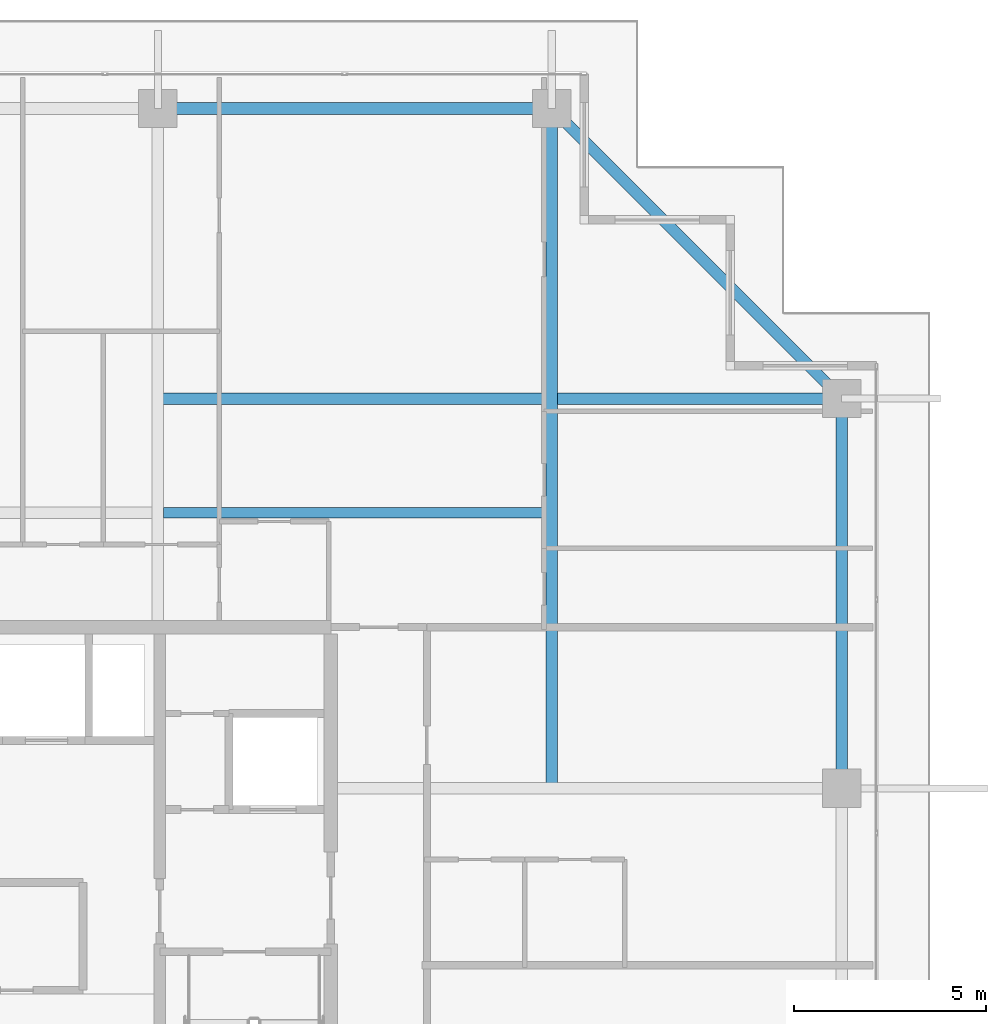
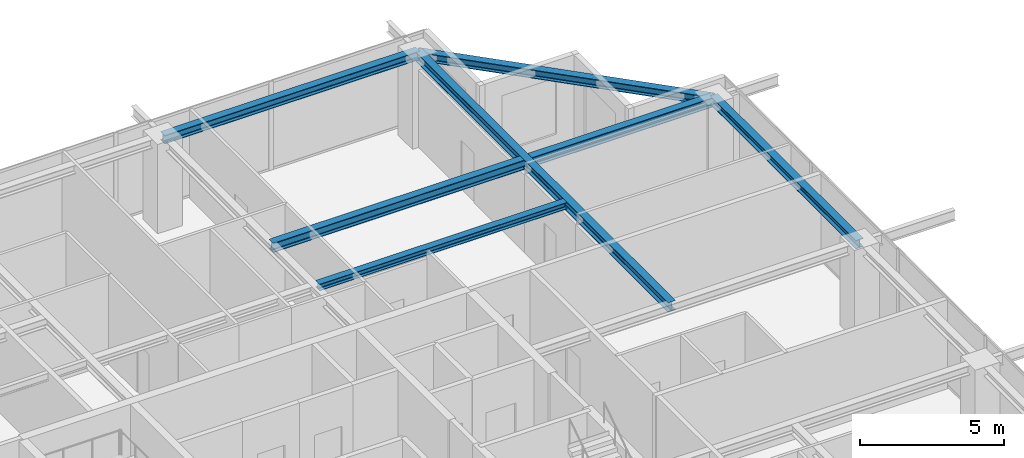
# One storey, part 23 of 38: 6 beams.
"""IFC4 building model written with IfcOpenShell, lengths in metres."""

from ifc_helpers import new_model, si_unit, direction, frame, origin, origin_2d, place, context, subcontext, project, spatial, i_section, extrude, source, transform, mapped, material, material_profile, profile_set, type_object, element, save


model = new_model("IFC4")

# Units and contexts
model_context = context("Model", 3, precision=1e-05, world=origin(), true_north=direction((0.0, 1.0)))
body_context = subcontext(model_context, "Body", "Model", "MODEL_VIEW")
ifc_project = project(units=[si_unit("LENGTHUNIT", "METRE"), si_unit("AREAUNIT", "SQUARE_METRE"), si_unit("VOLUMEUNIT", "CUBIC_METRE"), si_unit("PLANEANGLEUNIT", "RADIAN"), si_unit("MASSUNIT", "GRAM", prefix="KILO")], contexts=[model_context])

# Site, building, storey
site_placement = place(None, origin())
site = spatial("IfcSite", under=ifc_project, at=site_placement, CompositionType="ELEMENT")
building_placement = place(site_placement, origin())
building = spatial("IfcBuilding", under=site, at=building_placement, Name="Serunith Strait Residences", CompositionType="ELEMENT")
storey_placement = place(building_placement, frame((0.0, 0.0, 321.800048828125)))
storey = spatial("IfcBuildingStorey", under=building, at=storey_placement, Name="L80", CompositionType="ELEMENT", Elevation=321.800048828125)

# Beams
ifc_material = material(Name="Steel S355J2", Category="steel")
ifc_material_profile_1 = material_profile(ifc_material, i_section(OverallWidth=0.280029296875, OverallDepth=0.280029296875, WebThickness=0.010498046875, FlangeThickness=0.01806640625, FilletRadius=0.02392578125, at=origin_2d()), Name="HEB 280")
ifc_profile_set_1 = profile_set([ifc_material_profile_1], Name="Steel S355J2")
beam_type_1 = type_object("IfcBeamType", Name="BM-HEB280", PredefinedType="JOIST", material=ifc_profile_set_1)
shared_shape_1 = source(origin(), body_context, "Body", "SweptSolid", [
    extrude(i_section(OverallWidth=0.280029296875, OverallDepth=0.280029296875, WebThickness=0.010498046875, FlangeThickness=0.01806640625, FilletRadius=0.02392578125, at=origin_2d()), origin(), (0.0, 0.0, 1.0), 9.949951171875),
])
beam_1_placement = place(storey_placement, frame((37.050048828125, 36.574951171875, 3.64697265625), z_axis=(1.0, 0.0, 0.0), x_axis=(0.0, 1.0, 0.0)))
element("IfcBeam", 1, at=beam_1_placement, inside=storey, type_object=beam_type_1, Name="L80 Composite Floor Joist 06", PredefinedType="JOIST", context=body_context, shape_type="MappedRepresentation", body=[
    mapped(shared_shape_1, transform((0.0, 0.0, 0.0), scale=1.0)),
])
ifc_material_profile_2 = material_profile(ifc_material, i_section(OverallWidth=0.300048828125, OverallDepth=0.39990234375, WebThickness=0.013427734375, FlangeThickness=0.02392578125, FilletRadius=0.027099609375, at=origin_2d()), Name="HEB 400")
ifc_profile_set_2 = profile_set([ifc_material_profile_2], Name="Steel S355J2")
beam_type_2 = type_object("IfcBeamType", Name="BM-HEB400", PredefinedType="BEAM", material=ifc_profile_set_2)
shared_shape_2 = source(origin(), body_context, "Body", "SweptSolid", [
    extrude(i_section(OverallWidth=0.300048828125, OverallDepth=0.39990234375, WebThickness=0.013427734375, FlangeThickness=0.02392578125, FilletRadius=0.027099609375, at=origin_2d()), origin(), (0.0, 0.0, 1.0), 17.7001953125),
])
beam_2_placement = place(storey_placement, frame((47.14990234375, 29.39990234375, 3.5869140625), z_axis=(0.0, 1.0, 0.0), x_axis=(-1.0, 0.0, 0.0)))
element("IfcBeam", 2, at=beam_2_placement, inside=storey, type_object=beam_type_2, Name="L80 Orthogonal Corner Girder TC-N4", PredefinedType="BEAM", context=body_context, shape_type="MappedRepresentation", body=[
    mapped(shared_shape_2, transform((0.0, 0.0, 0.0), scale=1.0)),
])
shared_shape_3 = source(origin(), body_context, "Body", "SweptSolid", [
    extrude(i_section(OverallWidth=0.300048828125, OverallDepth=0.39990234375, WebThickness=0.013427734375, FlangeThickness=0.02392578125, FilletRadius=0.027099609375, at=origin_2d()), origin(), (0.0, 0.0, 1.0), 17.800048828125),
])
beam_3_placement = place(storey_placement, frame((36.89990234375, 39.550048828125, 3.5869140625), z_axis=(1.0, 0.0, 0.0), x_axis=(0.0, 1.0, 0.0)))
element("IfcBeam", 3, at=beam_3_placement, inside=storey, type_object=beam_type_2, Name="L80 Orthogonal Corner Girder TC-E4", PredefinedType="BEAM", context=body_context, shape_type="MappedRepresentation", body=[
    mapped(shared_shape_3, transform((0.0, 0.0, 0.0), scale=1.0)),
])
ifc_material_profile_3 = material_profile(ifc_material, i_section(OverallWidth=0.300048828125, OverallDepth=0.360107421875, WebThickness=0.012451171875, FlangeThickness=0.0224609375, FilletRadius=0.027099609375, at=origin_2d()), Name="HEB 360")
ifc_profile_set_3 = profile_set([ifc_material_profile_3], Name="Steel S355J2")
beam_type_3 = type_object("IfcBeamType", Name="BM-HEB360", PredefinedType="BEAM", material=ifc_profile_set_3)
shared_shape_4 = source(origin(), body_context, "Body", "SweptSolid", [
    extrude(i_section(OverallWidth=0.300048828125, OverallDepth=0.360107421875, WebThickness=0.012451171875, FlangeThickness=0.0224609375, FilletRadius=0.027099609375, at=origin_2d()), origin(), (0.0, 0.0, 1.0), 10.25),
])
beam_4_placement = place(storey_placement, frame((47.14990234375, 47.10009765625, 3.60693359375), z_axis=(-1.0, 0.0, 0.0), x_axis=(0.0, -1.0, 0.0)))
element("IfcBeam", 4, at=beam_4_placement, inside=storey, type_object=beam_type_3, Name="L80 Perimeter Ring Beam 09", PredefinedType="BEAM", context=body_context, shape_type="MappedRepresentation", body=[
    mapped(shared_shape_4, transform((0.0, 0.0, 0.0), scale=1.0)),
])
shared_shape_5 = source(origin(), body_context, "Body", "SweptSolid", [
    extrude(i_section(OverallWidth=0.300048828125, OverallDepth=0.360107421875, WebThickness=0.012451171875, FlangeThickness=0.0224609375, FilletRadius=0.027099609375, at=origin_2d()), origin(), (0.0, 0.0, 1.0), 10.677490234375),
])
beam_5_placement = place(storey_placement, frame((54.699951171875, 39.550048828125, 3.576904296875), z_axis=(-0.707106781187, 0.707106781187, 0.0), x_axis=(-0.707106781187, -0.707106781187, 0.0)))
element("IfcBeam", 5, at=beam_5_placement, inside=storey, type_object=beam_type_3, Name="L80 Perimeter Ring Beam 08", PredefinedType="BEAM", context=body_context, shape_type="MappedRepresentation", body=[
    mapped(shared_shape_5, transform((0.0, 0.0, 0.0), scale=1.0)),
])
shared_shape_6 = source(origin(), body_context, "Body", "SweptSolid", [
    extrude(i_section(OverallWidth=0.300048828125, OverallDepth=0.360107421875, WebThickness=0.012451171875, FlangeThickness=0.0224609375, FilletRadius=0.027099609375, at=origin_2d()), origin(), (0.0, 0.0, 1.0), 10.150146484375),
])
beam_6_placement = place(storey_placement, frame((54.699951171875, 29.39990234375, 3.60693359375), z_axis=(0.0, 1.0, 0.0), x_axis=(-1.0, 0.0, 0.0)))
element("IfcBeam", 6, at=beam_6_placement, inside=storey, type_object=beam_type_3, Name="L80 Perimeter Ring Beam 07", PredefinedType="BEAM", context=body_context, shape_type="MappedRepresentation", body=[
    mapped(shared_shape_6, transform((0.0, 0.0, 0.0), scale=1.0)),
])

save(model, "model.ifc")
